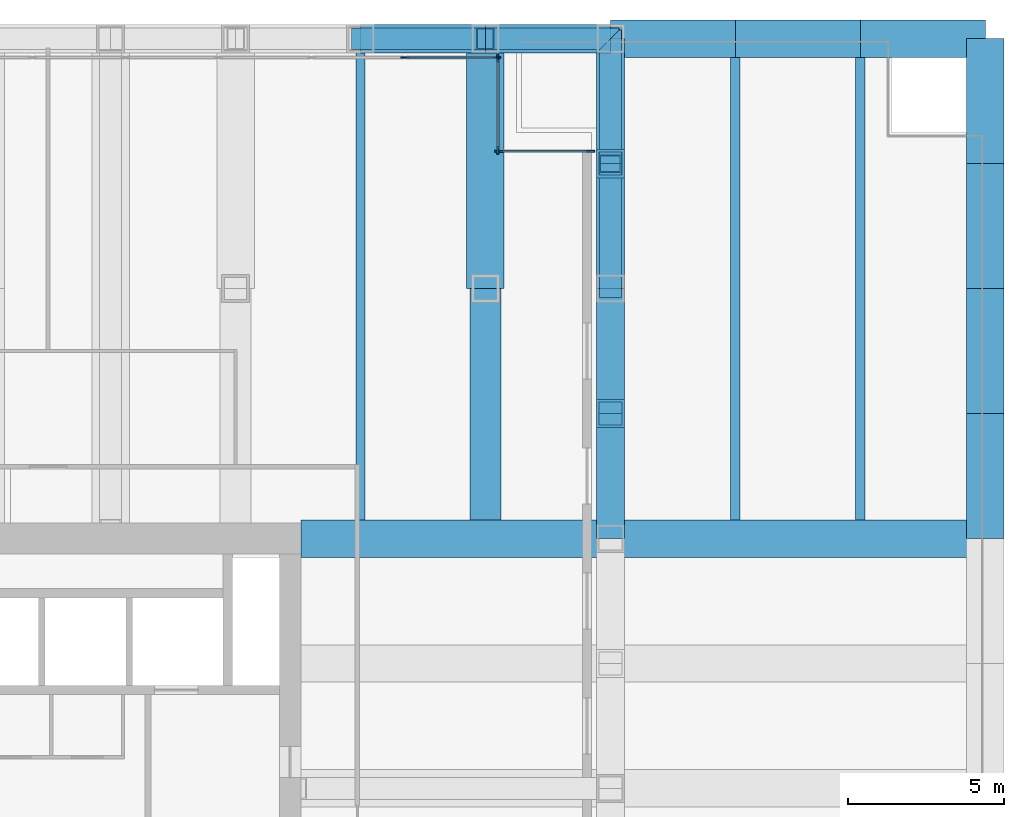
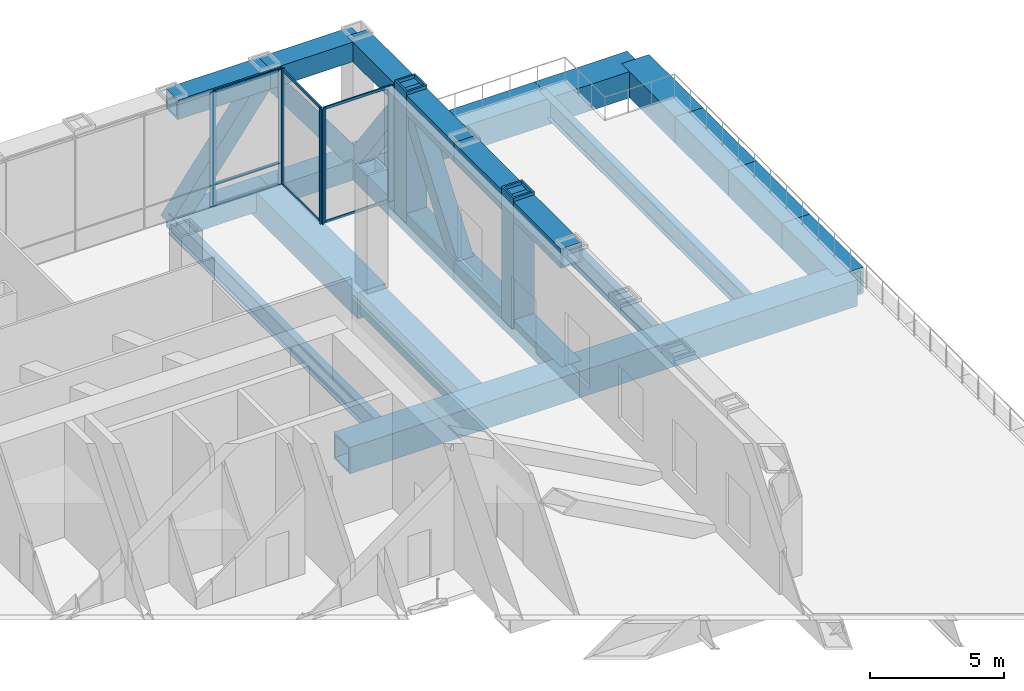
# One storey, part 8 of 13: 24 beams, 19 members, 3 elements without a shape of their own.
"""IFC4 building model written with IfcOpenShell, lengths in metres."""

from ifc_helpers import new_model, si_unit, direction, frame, origin, origin_2d, place, context, subcontext, project, spatial, rectangle, hollow_rectangle, i_section, extrude, material, material_profile, profile_set, type_object, element, aggregate, save


model = new_model("IFC4")

# Units and contexts
model_context = context("Model", 3, precision=1e-05, world=origin(), true_north=direction((0.0, 1.0)))
body_context = subcontext(model_context, "Body", "Model", "MODEL_VIEW")
ifc_project = project(units=[si_unit("LENGTHUNIT", "METRE"), si_unit("AREAUNIT", "SQUARE_METRE"), si_unit("VOLUMEUNIT", "CUBIC_METRE"), si_unit("PLANEANGLEUNIT", "RADIAN"), si_unit("MASSUNIT", "GRAM", prefix="KILO")], contexts=[model_context])

# Site, building, storey
site_placement = place(None, origin())
site = spatial("IfcSite", under=ifc_project, at=site_placement, CompositionType="ELEMENT")
building_placement = place(site_placement, origin())
building = spatial("IfcBuilding", under=site, at=building_placement, Name="Rimbunsela Tower", CompositionType="ELEMENT")
storey_placement = place(building_placement, frame((0.0, 0.0, 137.39990234375)))
storey = spatial("IfcBuildingStorey", under=building, at=storey_placement, Name="L33", CompositionType="ELEMENT", Elevation=137.39990234375)

# Beams
ifc_material_1 = material(Name="Steel BJ 55 (fy 410 MPa)", Category="steel")
ifc_material_profile_1 = material_profile(ifc_material_1, hollow_rectangle(XDim=1.0, YDim=1.0, WallThickness=0.10009765625, at=origin_2d()), Name="BOX 1000x1000x100")
ifc_profile_set_1 = profile_set([ifc_material_profile_1], Name="Steel BJ 55 (fy 410 MPa)")
beam_type_1 = type_object("IfcBeamType", Name="Beam BOX 1000x1000x100", PredefinedType="BEAM", material=ifc_profile_set_1)
beam_1_placement = place(storey_placement, frame((42.0, 36.60009765625, -0.64990234375), z_axis=(0.0, 1.0, 0.0), x_axis=(-1.0, 0.0, 0.0)))
element("IfcBeam", 1, at=beam_1_placement, inside=storey, type_object=beam_type_1, Name="Beam B3 L33", PredefinedType="BEAM", context=body_context, shape_type="SweptSolid", body=[
    extrude(hollow_rectangle(XDim=1.0, YDim=1.0, WallThickness=0.10009765625, at=origin_2d()), origin(), (0.0, 0.0, 1.0), 7.39990234375),
])
ifc_material_2 = material(Name="Steel BJ 55 (fy 410 MPa)", Category="steel")
ifc_material_profile_2 = material_profile(ifc_material_2, hollow_rectangle(XDim=1.199951171875, YDim=1.199951171875, WallThickness=0.10009765625, at=origin_2d()), Name="BOX 1200x1200x100")
ifc_profile_set_2 = profile_set([ifc_material_profile_2], Name="Steel BJ 55 (fy 410 MPa)")
beam_type_2 = type_object("IfcBeamType", Name="Beam BOX 1200x1200x100", PredefinedType="BEAM", material=ifc_profile_set_2)
beam_2_placement = place(storey_placement, frame((36.10009765625, 36.0, -0.75), z_axis=(1.0, 0.0, 0.0), x_axis=(0.0, 1.0, 0.0)))
element("IfcBeam", 2, at=beam_2_placement, inside=storey, type_object=beam_type_2, Name="Beam B5 L33", PredefinedType="BEAM", context=body_context, shape_type="SweptSolid", body=[
    extrude(hollow_rectangle(XDim=1.199951171875, YDim=1.199951171875, WallThickness=0.10009765625, at=origin_2d()), origin(), (0.0, 0.0, 1.0), 9.89990234375),
])
beam_3_placement = place(storey_placement, frame((46.0, 36.0, -0.75), z_axis=(1.0, 0.0, 0.0), x_axis=(0.0, 1.0, 0.0)))
element("IfcBeam", 3, at=beam_3_placement, inside=storey, type_object=beam_type_2, Name="Beam B5 L33", PredefinedType="BEAM", context=body_context, shape_type="SweptSolid", body=[
    extrude(hollow_rectangle(XDim=1.199951171875, YDim=1.199951171875, WallThickness=0.10009765625, at=origin_2d()), origin(), (0.0, 0.0, 1.0), 12.0),
])
ifc_material_3 = material(Name="Steel BJ 55 (fy 410 MPa)", Category="steel")
ifc_material_profile_3 = material_profile(ifc_material_3, hollow_rectangle(XDim=1.199951171875, YDim=1.199951171875, WallThickness=0.125, at=origin_2d()), Name="BOX 1200x1200x125")
ifc_profile_set_3 = profile_set([ifc_material_profile_3], Name="Steel BJ 55 (fy 410 MPa)")
beam_type_3 = type_object("IfcBeamType", Name="Beam BOX 1200x1200x125", PredefinedType="BEAM", material=ifc_profile_set_3)
beam_4_placement = place(storey_placement, frame((42.0, 44.0, -0.75), z_axis=(0.0, 1.0, 0.0), x_axis=(-1.0, 0.0, 0.0)))
element("IfcBeam", 4, at=beam_4_placement, inside=storey, type_object=beam_type_3, Name="Beam B4 L33", PredefinedType="BEAM", context=body_context, shape_type="SweptSolid", body=[
    extrude(hollow_rectangle(XDim=1.199951171875, YDim=1.199951171875, WallThickness=0.125, at=origin_2d()), origin(), (0.0, 0.0, 1.0), 8.0),
])
for number, where, z_axis, x_axis, name in (
    (5, (46.0, 52.0, -0.75), (1.0, 0.0, 0.0), (0.0, 1.0, 0.0), "Beam B4 L33"),
    (6, (50.0, 52.0, -0.75), (1.0, 0.0, 0.0), (0.0, 1.0, 0.0), "Beam B4 L33"),
    (7, (54.0, 52.0, -0.75), (1.0, 0.0, 0.0), (0.0, 1.0, 0.0), "Beam B4 L33"),
    (8, (58.0, 36.0, -0.75), (0.0, 1.0, 0.0), (-1.0, 0.0, 0.0), "Beam B4 L33"),
    (9, (58.0, 40.0, -0.75), (0.0, 1.0, 0.0), (-1.0, 0.0, 0.0), "Beam B4 L33"),
    (10, (58.0, 44.0, -0.75), (0.0, 1.0, 0.0), (-1.0, 0.0, 0.0), "Beam B4 L33"),
    (11, (58.0, 48.0, -0.75), (0.0, 1.0, 0.0), (-1.0, 0.0, 0.0), "Beam B4 L33"),
):
    element("IfcBeam", number, at=place(storey_placement, frame(where, z_axis=z_axis, x_axis=x_axis)), inside=storey, type_object=beam_type_3, Name=name, PredefinedType="BEAM", context=body_context, shape_type="SweptSolid", body=[
        extrude(hollow_rectangle(XDim=1.199951171875, YDim=1.199951171875, WallThickness=0.125, at=origin_2d()), origin(), (0.0, 0.0, 1.0), 4.0),
    ])
ifc_material_4 = material(Name="Steel BJ 55 (fy 410 MPa)", Category="steel")
ifc_material_profile_4 = material_profile(ifc_material_4, i_section(OverallWidth=0.300048828125, OverallDepth=0.89990234375, WebThickness=0.01611328125, FlangeThickness=0.028076171875, FilletRadius=0.028076171875, at=origin_2d()), Name="H 900x300x16x28")
ifc_profile_set_4 = profile_set([ifc_material_profile_4], Name="Steel BJ 55 (fy 410 MPa)")
beam_type_4 = type_object("IfcBeamType", Name="Beam H 900x300x16x28", PredefinedType="BEAM", material=ifc_profile_set_4)
for number, where, z_axis, x_axis, name in (
    (12, (38.0, 36.60009765625, -0.599853515625), (0.0, 1.0, 0.0), (-1.0, 0.0, 0.0), "Beam B2 L33"),
    (13, (50.0, 36.60009765625, -0.599853515625), (0.0, 1.0, 0.0), (-1.0, 0.0, 0.0), "Beam B2 L33"),
    (14, (54.0, 36.60009765625, -0.599853515625), (0.0, 1.0, 0.0), (-1.0, 0.0, 0.0), "Beam B2 L33"),
):
    element("IfcBeam", number, at=place(storey_placement, frame(where, z_axis=z_axis, x_axis=x_axis)), inside=storey, type_object=beam_type_4, Name=name, PredefinedType="BEAM", context=body_context, shape_type="SweptSolid", body=[
        extrude(i_section(OverallWidth=0.300048828125, OverallDepth=0.89990234375, WebThickness=0.01611328125, FlangeThickness=0.028076171875, FilletRadius=0.028076171875, at=origin_2d()), origin(), (0.0, 0.0, 1.0), 15.39990234375),
    ])

# Curtain wall, members
ifc_material_5 = material(Name="Aluminium curtain wall", Category="aluminium")
curtain_wall_type_1 = type_object("IfcCurtainWallType", Name="Corner glazing", PredefinedType="USERDEFINED", material=ifc_material_5)
curtain_wall_1_placement = place(storey_placement, origin())
curtain_wall_1 = element("IfcCurtainWall", 15, at=curtain_wall_1_placement, inside=storey, type_object=curtain_wall_type_1, Name="Corner glazing L33", ObjectType="CORNER GLAZING", PredefinedType="USERDEFINED")
ifc_material_6 = material(Name="Aluminium mullion", Category="aluminium")
ifc_material_profile_5 = material_profile(ifc_material_6, rectangle(XDim=0.06005859375, YDim=0.25, at=origin_2d()), Name="Mullion 60x250")
ifc_profile_set_5 = profile_set([ifc_material_profile_5], Name="Aluminium mullion")
member_type_1 = type_object("IfcMemberType", Name="Curtain wall mullion 60x250", PredefinedType="MULLION", material=ifc_profile_set_5)
member_1_placement = place(storey_placement, frame((45.3701171875, 48.39990234375, 0.0), z_axis=(0.0, 0.0, 1.0), x_axis=(0.0, -1.0, 0.0)))
member_1 = element("IfcMember", 16, at=member_1_placement, type_object=member_type_1, Name="CW5 mullion 1", PredefinedType="MULLION", context=body_context, shape_type="SweptSolid", body=[
    extrude(rectangle(XDim=0.06005859375, YDim=0.25, at=origin_2d()), origin(), (0.0, 0.0, 1.0), 5.25),
])
member_2_placement = place(storey_placement, frame((42.429931640625, 48.39990234375, 0.0), z_axis=(0.0, 0.0, 1.0), x_axis=(0.0, -1.0, 0.0)))
member_2 = element("IfcMember", 17, at=member_2_placement, type_object=member_type_1, Name="CW5 mullion 2", PredefinedType="MULLION", context=body_context, shape_type="SweptSolid", body=[
    extrude(rectangle(XDim=0.06005859375, YDim=0.25, at=origin_2d()), origin(), (0.0, 0.0, 1.0), 5.25),
])

curtain_wall_2_placement = place(storey_placement, origin())
curtain_wall_2 = element("IfcCurtainWall", 18, at=curtain_wall_2_placement, inside=storey, type_object=curtain_wall_type_1, Name="Corner glazing L33", ObjectType="CORNER GLAZING", PredefinedType="USERDEFINED")
member_3_placement = place(storey_placement, frame((42.39990234375, 48.429931640625, 0.0), z_axis=(0.0, 0.0, 1.0), x_axis=(-1.0, 0.0, 0.0)))
member_3 = element("IfcMember", 19, at=member_3_placement, type_object=member_type_1, Name="CW5 mullion 1", PredefinedType="MULLION", context=body_context, shape_type="SweptSolid", body=[
    extrude(rectangle(XDim=0.06005859375, YDim=0.25, at=origin_2d()), origin(), (0.0, 0.0, 1.0), 5.25),
])
member_4_placement = place(storey_placement, frame((42.39990234375, 51.3701171875, 0.0), z_axis=(0.0, 0.0, 1.0), x_axis=(-1.0, 0.0, 0.0)))
member_4 = element("IfcMember", 20, at=member_4_placement, type_object=member_type_1, Name="CW5 mullion 2", PredefinedType="MULLION", context=body_context, shape_type="SweptSolid", body=[
    extrude(rectangle(XDim=0.06005859375, YDim=0.25, at=origin_2d()), origin(), (0.0, 0.0, 1.0), 5.25),
])

ifc_material_7 = material(Name="Aluminium curtain wall", Category="aluminium")
curtain_wall_type_2 = type_object("IfcCurtainWallType", Name="Plant floor louvre wall", PredefinedType="USERDEFINED", material=ifc_material_7)
curtain_wall_3_placement = place(storey_placement, origin())
curtain_wall_3 = element("IfcCurtainWall", 21, at=curtain_wall_3_placement, inside=storey, type_object=curtain_wall_type_2, Name="Plant floor louvre wall L33", ObjectType="PLANT FLOOR LOUVRE WALL", PredefinedType="USERDEFINED")
member_5_placement = place(storey_placement, frame((42.3701171875, 51.39990234375, 0.0), z_axis=(0.0, 0.0, 1.0), x_axis=(0.0, -1.0, 0.0)))
member_5 = element("IfcMember", 22, at=member_5_placement, type_object=member_type_1, Name="CW3 mullion 1", PredefinedType="MULLION", context=body_context, shape_type="SweptSolid", body=[
    extrude(rectangle(XDim=0.06005859375, YDim=0.25, at=origin_2d()), origin(), (0.0, 0.0, 1.0), 5.25),
])
member_6_placement = place(storey_placement, frame((39.418212890625, 51.39990234375, 0.0), z_axis=(0.0, 0.0, 1.0), x_axis=(0.0, -1.0, 0.0)))
member_6 = element("IfcMember", 23, at=member_6_placement, type_object=member_type_1, Name="CW3 mullion 2", PredefinedType="MULLION", context=body_context, shape_type="SweptSolid", body=[
    extrude(rectangle(XDim=0.06005859375, YDim=0.25, at=origin_2d()), origin(), (0.0, 0.0, 1.0), 5.25),
])

# Member
ifc_material_8 = material(Name="Aluminium transom", Category="aluminium")
ifc_material_profile_6 = material_profile(ifc_material_8, rectangle(XDim=0.06005859375, YDim=0.1201171875, at=origin_2d()), Name="Transom 60x120")
ifc_profile_set_6 = profile_set([ifc_material_profile_6], Name="Aluminium transom")
member_type_2 = type_object("IfcMemberType", Name="Curtain wall transom 60x120", PredefinedType="USERDEFINED", material=ifc_profile_set_6)
member_7_placement = place(storey_placement, frame((45.340087890625, 48.39990234375, 0.030029296875), z_axis=(-1.0, 0.0, 0.0), x_axis=(0.0, -1.0, 0.0)))
member_7 = element("IfcMember", 24, at=member_7_placement, type_object=member_type_2, Name="CW5 transom 1.1", ObjectType="TRANSOM", PredefinedType="USERDEFINED", context=body_context, shape_type="SweptSolid", body=[
    extrude(rectangle(XDim=0.06005859375, YDim=0.1201171875, at=origin_2d()), origin(), (0.0, 0.0, 1.0), 2.880126953125),
])

member_8_placement = place(storey_placement, frame((45.340087890625, 48.39990234375, 5.22021484375), z_axis=(-1.0, 0.0, 0.0), x_axis=(0.0, -1.0, 0.0)))
member_8 = element("IfcMember", 25, at=member_8_placement, type_object=member_type_2, Name="CW5 transom 1.2", ObjectType="TRANSOM", PredefinedType="USERDEFINED", context=body_context, shape_type="SweptSolid", body=[
    extrude(rectangle(XDim=0.06005859375, YDim=0.1201171875, at=origin_2d()), origin(), (0.0, 0.0, 1.0), 2.880126953125),
])

aggregate(curtain_wall_1, [member_1, member_2, member_7, member_8])

member_9_placement = place(storey_placement, frame((42.39990234375, 48.4599609375, 0.030029296875), z_axis=(0.0, 1.0, 0.0), x_axis=(-1.0, 0.0, 0.0)))
member_9 = element("IfcMember", 26, at=member_9_placement, type_object=member_type_2, Name="CW5 transom 1.1", ObjectType="TRANSOM", PredefinedType="USERDEFINED", context=body_context, shape_type="SweptSolid", body=[
    extrude(rectangle(XDim=0.06005859375, YDim=0.1201171875, at=origin_2d()), origin(), (0.0, 0.0, 1.0), 2.880126953125),
])

member_10_placement = place(storey_placement, frame((42.39990234375, 48.4599609375, 5.22021484375), z_axis=(0.0, 1.0, 0.0), x_axis=(-1.0, 0.0, 0.0)))
member_10 = element("IfcMember", 27, at=member_10_placement, type_object=member_type_2, Name="CW5 transom 1.2", ObjectType="TRANSOM", PredefinedType="USERDEFINED", context=body_context, shape_type="SweptSolid", body=[
    extrude(rectangle(XDim=0.06005859375, YDim=0.1201171875, at=origin_2d()), origin(), (0.0, 0.0, 1.0), 2.880126953125),
])

aggregate(curtain_wall_2, [member_3, member_4, member_9, member_10])

member_11_placement = place(storey_placement, frame((42.340087890625, 51.39990234375, 0.030029296875), z_axis=(-1.0, 0.0, 0.0), x_axis=(0.0, -1.0, 0.0)))
member_11 = element("IfcMember", 28, at=member_11_placement, type_object=member_type_2, Name="CW3 transom 1.1", ObjectType="TRANSOM", PredefinedType="USERDEFINED", context=body_context, shape_type="SweptSolid", body=[
    extrude(rectangle(XDim=0.06005859375, YDim=0.1201171875, at=origin_2d()), origin(), (0.0, 0.0, 1.0), 2.891845703125),
])

member_12_placement = place(storey_placement, frame((42.340087890625, 51.39990234375, 1.0), z_axis=(-1.0, 0.0, 0.0), x_axis=(0.0, -1.0, 0.0)))
member_12 = element("IfcMember", 29, at=member_12_placement, type_object=member_type_2, Name="CW3 transom 1.2", ObjectType="TRANSOM", PredefinedType="USERDEFINED", context=body_context, shape_type="SweptSolid", body=[
    extrude(rectangle(XDim=0.06005859375, YDim=0.1201171875, at=origin_2d()), origin(), (0.0, 0.0, 1.0), 2.891845703125),
])

member_13_placement = place(storey_placement, frame((42.340087890625, 51.39990234375, 5.22021484375), z_axis=(-1.0, 0.0, 0.0), x_axis=(0.0, -1.0, 0.0)))
member_13 = element("IfcMember", 30, at=member_13_placement, type_object=member_type_2, Name="CW3 transom 1.3", ObjectType="TRANSOM", PredefinedType="USERDEFINED", context=body_context, shape_type="SweptSolid", body=[
    extrude(rectangle(XDim=0.06005859375, YDim=0.1201171875, at=origin_2d()), origin(), (0.0, 0.0, 1.0), 2.891845703125),
])

aggregate(curtain_wall_3, [member_5, member_6, member_11, member_12, member_13])

# Beams
ifc_material_9 = material(Name="Steel BJ 55 (fy 410 MPa)", Category="steel")
ifc_material_profile_7 = material_profile(ifc_material_9, hollow_rectangle(XDim=0.89990234375, YDim=0.89990234375, WallThickness=0.080078125, at=origin_2d()), Name="BOX 900x900x80")
ifc_profile_set_7 = profile_set([ifc_material_profile_7], Name="Steel BJ 55 (fy 410 MPa)")
beam_type_5 = type_object("IfcBeamType", Name="Truss chord BOX 900x900x80", PredefinedType="USERDEFINED", material=ifc_profile_set_7)
for number, where, z_axis, x_axis, name in (
    (31, (38.0, 52.0, 4.800048828125), (1.0, 0.0, 0.0), (0.0, 1.0, 0.0), "Truss top chord TC3 N face L33"),
    (32, (42.0, 52.0, 4.800048828125), (1.0, 0.0, 0.0), (0.0, 1.0, 0.0), "Truss top chord TC3 N face L33"),
    (33, (46.0, 36.0, 4.800048828125), (0.0, 1.0, 0.0), (-1.0, 0.0, 0.0), "Truss top chord TC3 E face L33"),
    (34, (46.0, 40.0, 4.800048828125), (0.0, 1.0, 0.0), (-1.0, 0.0, 0.0), "Truss top chord TC3 E face L33"),
    (35, (46.0, 44.0, 4.800048828125), (0.0, 1.0, 0.0), (-1.0, 0.0, 0.0), "Truss top chord TC3 E face L33"),
    (36, (46.0, 48.0, 4.800048828125), (0.0, 1.0, 0.0), (-1.0, 0.0, 0.0), "Truss top chord TC3 E face L33"),
    (37, (38.0, 52.0, -0.599853515625), (1.0, 0.0, 0.0), (0.0, 1.0, 0.0), "Truss bottom chord TC3 N face L33"),
    (38, (42.0, 52.0, -0.599853515625), (1.0, 0.0, 0.0), (0.0, 1.0, 0.0), "Truss bottom chord TC3 N face L33"),
):
    element("IfcBeam", number, at=place(storey_placement, frame(where, z_axis=z_axis, x_axis=x_axis)), inside=storey, type_object=beam_type_5, Name=name, ObjectType="TRUSS CHORD", PredefinedType="USERDEFINED", context=body_context, shape_type="SweptSolid", body=[
        extrude(hollow_rectangle(XDim=0.89990234375, YDim=0.89990234375, WallThickness=0.080078125, at=origin_2d()), origin(), (0.0, 0.0, 1.0), 4.0),
    ])
for number, where, z_axis, x_axis, name in (
    (39, (46.0, 36.0, -0.599853515625), (0.0, 1.0, 0.0), (-1.0, 0.0, 0.0), "Truss bottom chord TC3 E face L33"),
    (40, (46.0, 44.0, -0.599853515625), (0.0, 1.0, 0.0), (-1.0, 0.0, 0.0), "Truss bottom chord TC3 E face L33"),
):
    element("IfcBeam", number, at=place(storey_placement, frame(where, z_axis=z_axis, x_axis=x_axis)), inside=storey, type_object=beam_type_5, Name=name, ObjectType="TRUSS CHORD", PredefinedType="USERDEFINED", context=body_context, shape_type="SweptSolid", body=[
        extrude(hollow_rectangle(XDim=0.89990234375, YDim=0.89990234375, WallThickness=0.080078125, at=origin_2d()), origin(), (0.0, 0.0, 1.0), 8.0),
    ])

# Members
ifc_material_10 = material(Name="Steel BJ 55 (fy 410 MPa)", Category="steel")
ifc_material_profile_8 = material_profile(ifc_material_10, hollow_rectangle(XDim=0.699951171875, YDim=0.699951171875, WallThickness=0.0400390625, at=origin_2d()), Name="BOX 700x700x40")
ifc_profile_set_8 = profile_set([ifc_material_profile_8], Name="Steel BJ 55 (fy 410 MPa)")
member_type_3 = type_object("IfcMemberType", Name="Truss diagonal BOX 700x700x40", PredefinedType="BRACE", material=ifc_profile_set_8)
for number, where, z_axis, x_axis, name in (
    (41, (38.0, 52.0, -0.599853515625), (0.595234501294, 0.0, 0.803552044655), (0.0, 1.0, 0.0), "Truss diagonal TD3 N face L33"),
    (42, (42.0, 52.0, 4.800048828125), (0.595234501294, 0.0, -0.803552044655), (0.0, 1.0, 0.0), "Truss diagonal TD3 N face L33"),
    (43, (46.0, 44.0, -0.599853515625), (0.0, 0.595234501294, 0.803552044655), (-1.0, 0.0, 0.0), "Truss diagonal TD3 E face L33"),
    (44, (46.0, 48.0, 4.800048828125), (0.0, 0.595234501294, -0.803552044655), (-1.0, 0.0, 0.0), "Truss diagonal TD3 E face L33"),
):
    element("IfcMember", number, at=place(storey_placement, frame(where, z_axis=z_axis, x_axis=x_axis)), inside=storey, type_object=member_type_3, Name=name, PredefinedType="BRACE", context=body_context, shape_type="SweptSolid", body=[
        extrude(hollow_rectangle(XDim=0.699951171875, YDim=0.699951171875, WallThickness=0.0400390625, at=origin_2d()), origin(), (0.0, 0.0, 1.0), 6.719970703125),
    ])
ifc_material_11 = material(Name="Steel BJ 55 (fy 410 MPa)", Category="steel")
ifc_material_profile_9 = material_profile(ifc_material_11, hollow_rectangle(XDim=0.89990234375, YDim=0.89990234375, WallThickness=0.080078125, at=origin_2d()), Name="BOX 900x900x80")
ifc_profile_set_9 = profile_set([ifc_material_profile_9], Name="Steel BJ 55 (fy 410 MPa)")
member_type_4 = type_object("IfcMemberType", Name="Truss post BOX 900x900x80", PredefinedType="POST", material=ifc_profile_set_9)
for number, where, z_axis, x_axis, name in (
    (45, (46.0, 40.0, -0.599853515625), (0.0, 0.0, 1.0), (1.0, 0.0, 0.0), "Truss post TP3 14/M L33"),
    (46, (46.0, 48.0, -0.599853515625), (0.0, 0.0, 1.0), (1.0, 0.0, 0.0), "Truss post TP3 14/P L33"),
):
    element("IfcMember", number, at=place(storey_placement, frame(where, z_axis=z_axis, x_axis=x_axis)), inside=storey, type_object=member_type_4, Name=name, PredefinedType="POST", context=body_context, shape_type="SweptSolid", body=[
        extrude(hollow_rectangle(XDim=0.89990234375, YDim=0.89990234375, WallThickness=0.080078125, at=origin_2d()), origin(), (0.0, 0.0, 1.0), 6.0),
    ])

save(model, "model.ifc")
